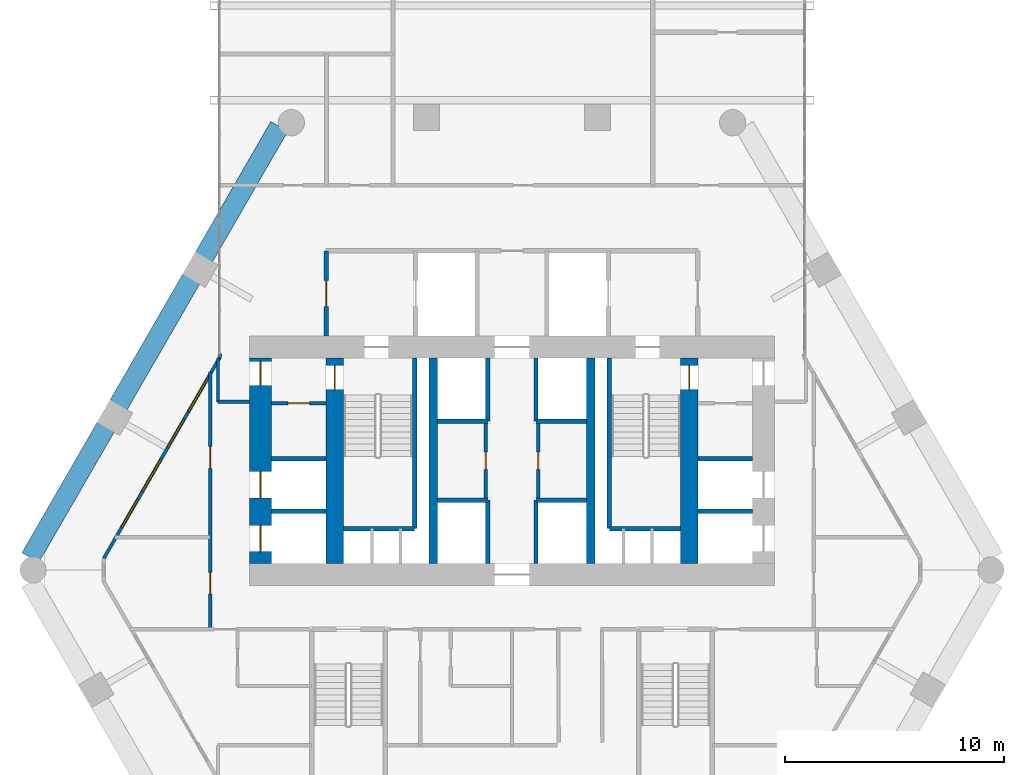
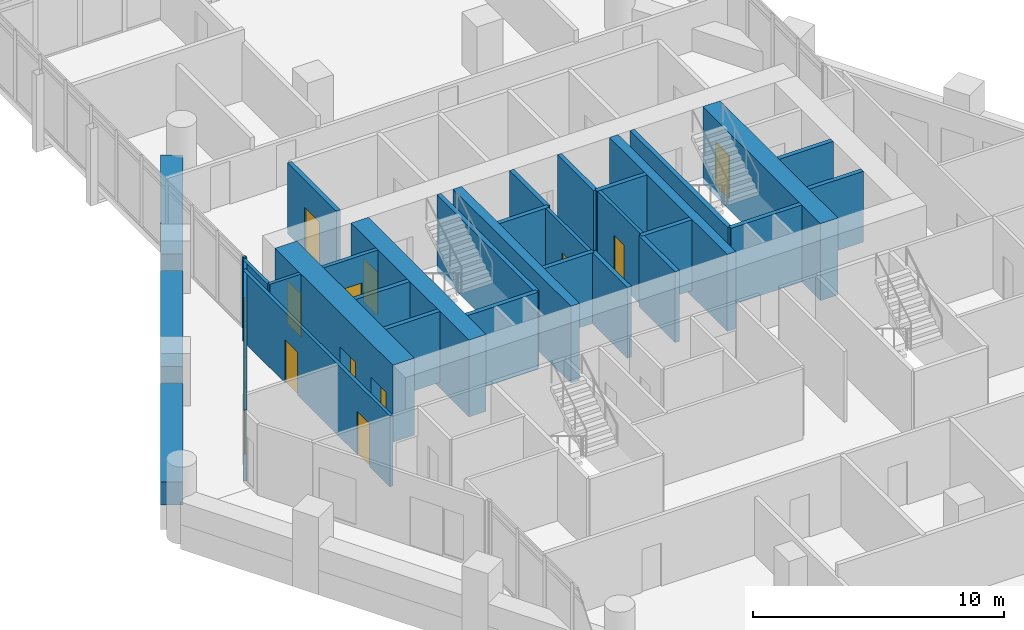
# One storey, part 25 of 28: 33 walls, 11 doors, 4 windows, 15 openings.
"""IFC4 building model written with IfcOpenShell, lengths in metres."""

from ifc_helpers import new_model, si_unit, direction, frame, frame_2d, origin, place, context, subcontext, project, spatial, rectangle, extrude, material, layer, layer_set, type_object, element, fill, save


model = new_model("IFC4")

# Units and contexts
model_context = context("Model", 3, precision=1e-05, world=origin(), true_north=direction((0.0, 1.0)))
body_context = subcontext(model_context, "Body", "Model", "MODEL_VIEW")
ifc_project = project(units=[si_unit("LENGTHUNIT", "METRE"), si_unit("AREAUNIT", "SQUARE_METRE"), si_unit("VOLUMEUNIT", "CUBIC_METRE"), si_unit("PLANEANGLEUNIT", "RADIAN"), si_unit("MASSUNIT", "GRAM", prefix="KILO")], contexts=[model_context])

# Site, building, storey
site_placement = place(None, origin())
site = spatial("IfcSite", under=ifc_project, at=site_placement, CompositionType="ELEMENT")
building_placement = place(site_placement, origin())
building = spatial("IfcBuilding", under=site, at=building_placement, Name="Ostrander Bayou Hotel Tower", CompositionType="ELEMENT")
storey_placement = place(building_placement, frame((0.0, 0.0, 134.75)))
storey = spatial("IfcBuildingStorey", under=building, at=storey_placement, Name="L33", CompositionType="ELEMENT", Elevation=134.75)

# Wall, openings, doors
ifc_material_1 = material(Name="Concrete f'c 70 MPa", Category="concrete")
ifc_layer_1 = layer(ifc_material_1, 1.0)
ifc_layer_set_1 = layer_set([ifc_layer_1], Name="CW4 core wall 1000 mm f'c 70 MPa")
wall_type_1 = type_object("IfcWallType", Name="CW4 core wall 1000 mm f'c 70 MPa", PredefinedType="SHEAR", material=ifc_layer_set_1)
wall_1_placement = place(storey_placement, frame((-11.5, -0.699951171875, -0.300048828125), z_axis=(0.0, 0.0, 1.0), x_axis=(0.0, 1.0, 0.0)))
wall_1 = element("IfcWall", 1, at=wall_1_placement, inside=storey, type_object=wall_type_1, Name="CW4 L33 RW", PredefinedType="SHEAR", context=body_context, shape_type="SweptSolid", body=[
    extrude(rectangle(XDim=9.39990234375, YDim=1.0, at=frame_2d((4.699951171875, 0.0))), origin(), (0.0, 0.0, 1.0), 3.75),
])
opening_1_placement = place(wall_1_placement, frame((8.14990234375, 0.0, 0.0)))
opening_1 = element("IfcOpeningElement", 2, at=opening_1_placement, cuts=wall_1, Name="Opening T32-017", PredefinedType="OPENING", context=body_context, shape_type="SweptSolid", body=[
    extrude(rectangle(XDim=1.10009765625, YDim=2.10009765625, at=frame_2d((0.550048828125, 1.050048828125))), frame((0.0, 0.5, 0.0), z_axis=(0.0, -1.0, 0.0), x_axis=(1.0, 0.0, 0.0)), (0.0, 0.0, 1.0), 1.0),
])
opening_2_placement = place(wall_1_placement, frame((0.550048828125, 0.0, 0.0)))
opening_2 = element("IfcOpeningElement", 3, at=opening_2_placement, cuts=wall_1, Name="Opening T32-018", PredefinedType="OPENING", context=body_context, shape_type="SweptSolid", body=[
    extrude(rectangle(XDim=1.199951171875, YDim=2.10009765625, at=frame_2d((0.60009765625, 1.050048828125))), frame((0.0, 0.5, 0.0), z_axis=(0.0, -1.0, 0.0), x_axis=(1.0, 0.0, 0.0)), (0.0, 0.0, 1.0), 1.0),
])
opening_3_placement = place(wall_1_placement, frame((3.0, 0.0, 0.0)))
opening_3 = element("IfcOpeningElement", 4, at=opening_3_placement, cuts=wall_1, Name="Opening T32-019", PredefinedType="OPENING", context=body_context, shape_type="SweptSolid", body=[
    extrude(rectangle(XDim=1.199951171875, YDim=2.10009765625, at=frame_2d((0.60009765625, 1.050048828125))), frame((0.0, 0.5, 0.0), z_axis=(0.0, -1.0, 0.0), x_axis=(1.0, 0.0, 0.0)), (0.0, 0.0, 1.0), 1.0),
])
ifc_material_2 = material(Name="Timber door leaf", Category="wood")
door_type_1 = type_object("IfcDoorType", Name="D5 stair door 1100 x 2100 mm, 90 minute", OperationType="SINGLE_SWING_LEFT", PredefinedType="DOOR", material=ifc_material_2)
door_1_placement = place(opening_1_placement, origin())
door_1 = element("IfcDoor", 5, at=door_1_placement, inside=storey, type_object=door_type_1, Name="dr:L33:017", OperationType="SINGLE_SWING_LEFT", OverallHeight=2.10009765625, OverallWidth=1.10009765625, PredefinedType="DOOR", context=body_context, shape_type="SweptSolid", body=[
    extrude(rectangle(XDim=1.10009765625, YDim=2.10009765625, at=frame_2d((0.550048828125, 1.050048828125))), frame((0.0, 0.02490234375, 0.0), z_axis=(0.0, -1.0, 0.0), x_axis=(1.0, 0.0, 0.0)), (0.0, 0.0, 1.0), 0.050048828125),
])
fill(opening_1, door_1)
ifc_material_3 = material(Name="Stainless steel sliding door", Category="steel")
door_type_2 = type_object("IfcDoorType", Name="LD1 lift landing door 1200 x 2100 mm", OperationType="SINGLE_SWING_LEFT", PredefinedType="DOOR", material=ifc_material_3)
door_2_placement = place(opening_2_placement, origin())
door_2 = element("IfcDoor", 6, at=door_2_placement, inside=storey, type_object=door_type_2, Name="dr:L33:018", OperationType="SLIDING_TO_LEFT", OverallHeight=2.10009765625, OverallWidth=1.199951171875, PredefinedType="DOOR", context=body_context, shape_type="SweptSolid", body=[
    extrude(rectangle(XDim=1.199951171875, YDim=2.10009765625, at=frame_2d((0.60009765625, 1.050048828125))), frame((0.0, 0.02490234375, 0.0), z_axis=(0.0, -1.0, 0.0), x_axis=(1.0, 0.0, 0.0)), (0.0, 0.0, 1.0), 0.050048828125),
])
fill(opening_2, door_2)
door_3_placement = place(opening_3_placement, origin())
door_3 = element("IfcDoor", 7, at=door_3_placement, inside=storey, type_object=door_type_2, Name="dr:L33:019", OperationType="SLIDING_TO_LEFT", OverallHeight=2.10009765625, OverallWidth=1.199951171875, PredefinedType="DOOR", context=body_context, shape_type="SweptSolid", body=[
    extrude(rectangle(XDim=1.199951171875, YDim=2.10009765625, at=frame_2d((0.60009765625, 1.050048828125))), frame((0.0, 0.02490234375, 0.0), z_axis=(0.0, -1.0, 0.0), x_axis=(1.0, 0.0, 0.0)), (0.0, 0.0, 1.0), 0.050048828125),
])
fill(opening_3, door_3)

# Wall, opening, door
ifc_material_4 = material(Name="Concrete f'c 70 MPa", Category="concrete")
ifc_layer_2 = layer(ifc_material_4, 0.800048828125)
ifc_layer_set_2 = layer_set([ifc_layer_2], Name="CW5 core spine wall 800 mm f'c 70 MPa")
wall_type_2 = type_object("IfcWallType", Name="CW5 core spine wall 800 mm f'c 70 MPa", PredefinedType="SHEAR", material=ifc_layer_set_2)
wall_2_placement = place(storey_placement, frame((-8.10009765625, -0.699951171875, -0.300048828125), z_axis=(0.0, 0.0, 1.0), x_axis=(0.0, 1.0, 0.0)))
wall_2 = element("IfcWall", 8, at=wall_2_placement, inside=storey, type_object=wall_type_2, Name="CW5 L33 W", PredefinedType="SHEAR", context=body_context, shape_type="SweptSolid", body=[
    extrude(rectangle(XDim=9.39990234375, YDim=0.800048828125, at=frame_2d((4.699951171875, 0.0))), origin(), (0.0, 0.0, 1.0), 3.75),
])
opening_4_placement = place(wall_2_placement, frame((7.949951171875, 0.0, 0.0)))
opening_4 = element("IfcOpeningElement", 9, at=opening_4_placement, cuts=wall_2, Name="Opening T32-004", PredefinedType="OPENING", context=body_context, shape_type="SweptSolid", body=[
    extrude(rectangle(XDim=1.10009765625, YDim=2.10009765625, at=frame_2d((0.550048828125, 1.050048828125))), frame((0.0, 0.39990234375, 0.0), z_axis=(0.0, -1.0, 0.0), x_axis=(1.0, 0.0, 0.0)), (0.0, 0.0, 1.0), 0.800048828125),
])
door_4_placement = place(opening_4_placement, origin())
door_4 = element("IfcDoor", 10, at=door_4_placement, inside=storey, type_object=door_type_1, Name="dr:L33:004", OperationType="SINGLE_SWING_RIGHT", OverallHeight=2.10009765625, OverallWidth=1.10009765625, PredefinedType="DOOR", context=body_context, shape_type="SweptSolid", body=[
    extrude(rectangle(XDim=1.10009765625, YDim=2.10009765625, at=frame_2d((0.550048828125, 1.050048828125))), frame((0.0, 0.02490234375, 0.0), z_axis=(0.0, -1.0, 0.0), x_axis=(1.0, 0.0, 0.0)), (0.0, 0.0, 1.0), 0.050048828125),
])
fill(opening_4, door_4)

wall_3_placement = place(storey_placement, frame((8.10009765625, -0.699951171875, -0.300048828125), z_axis=(0.0, 0.0, 1.0), x_axis=(0.0, 1.0, 0.0)))
wall_3 = element("IfcWall", 11, at=wall_3_placement, inside=storey, type_object=wall_type_2, Name="CW5 L33 E", PredefinedType="SHEAR", context=body_context, shape_type="SweptSolid", body=[
    extrude(rectangle(XDim=9.39990234375, YDim=0.800048828125, at=frame_2d((4.699951171875, 0.0))), origin(), (0.0, 0.0, 1.0), 3.75),
])
opening_5_placement = place(wall_3_placement, frame((7.949951171875, 0.0, 0.0)))
opening_5 = element("IfcOpeningElement", 12, at=opening_5_placement, cuts=wall_3, Name="Opening T32-006", PredefinedType="OPENING", context=body_context, shape_type="SweptSolid", body=[
    extrude(rectangle(XDim=1.10009765625, YDim=2.10009765625, at=frame_2d((0.550048828125, 1.050048828125))), frame((0.0, 0.39990234375, 0.0), z_axis=(0.0, -1.0, 0.0), x_axis=(1.0, 0.0, 0.0)), (0.0, 0.0, 1.0), 0.800048828125),
])
door_5_placement = place(opening_5_placement, origin())
door_5 = element("IfcDoor", 13, at=door_5_placement, inside=storey, type_object=door_type_1, Name="dr:L33:006", OperationType="SINGLE_SWING_LEFT", OverallHeight=2.10009765625, OverallWidth=1.10009765625, PredefinedType="DOOR", context=body_context, shape_type="SweptSolid", body=[
    extrude(rectangle(XDim=1.10009765625, YDim=2.10009765625, at=frame_2d((0.550048828125, 1.050048828125))), frame((0.0, 0.02490234375, 0.0), z_axis=(0.0, -1.0, 0.0), x_axis=(1.0, 0.0, 0.0)), (0.0, 0.0, 1.0), 0.050048828125),
])
fill(opening_5, door_5)

# Walls
ifc_material_5 = material(Name="Concrete f'c 70 MPa", Category="concrete")
ifc_layer_3 = layer(ifc_material_5, 0.39990234375)
ifc_layer_set_3 = layer_set([ifc_layer_3], Name="CW6 core bank wall 400 mm f'c 70 MPa")
wall_type_3 = type_object("IfcWallType", Name="CW6 core bank wall 400 mm f'c 70 MPa", PredefinedType="SHEAR", material=ifc_layer_set_3)
for number, where, z_axis, x_axis, name in (
    (14, (-3.60009765625, -0.699951171875, -0.300048828125), (0.0, 0.0, 1.0), (0.0, 1.0, 0.0), "CW6 L33 CW"),
    (15, (3.60009765625, -0.699951171875, -0.300048828125), (0.0, 0.0, 1.0), (0.0, 1.0, 0.0), "CW6 L33 CE"),
):
    element("IfcWall", number, at=place(storey_placement, frame(where, z_axis=z_axis, x_axis=x_axis)), inside=storey, type_object=wall_type_3, Name=name, PredefinedType="SHEAR", context=body_context, shape_type="SweptSolid", body=[
        extrude(rectangle(XDim=9.39990234375, YDim=0.39990234375, at=frame_2d((4.699951171875, 0.0))), origin(), (0.0, 0.0, 1.0), 3.75),
    ])

# Wall, openings, windows
ifc_material_6 = material(Name="Aluminium framed insulated wall", Category="aluminium")
ifc_layer_4 = layer(ifc_material_6, 0.14990234375)
ifc_layer_set_4 = layer_set([ifc_layer_4], Name="GW1 glass-line wall 150 mm")
wall_type_4 = type_object("IfcWallType", Name="GW1 glass-line wall 150 mm", PredefinedType="SOLIDWALL", material=ifc_layer_set_4)
wall_4_placement = place(storey_placement, frame((-13.333984375, 8.769287109375, 0.0), z_axis=(0.0, 0.0, 1.0), x_axis=(-0.499997430087, -0.866026887519, 0.0)))
wall_4 = element("IfcWall", 16, at=wall_4_placement, inside=storey, type_object=wall_type_4, Name="GW1 L33 NW 1", PredefinedType="SOLIDWALL", context=body_context, shape_type="SweptSolid", body=[
    extrude(rectangle(XDim=10.6572265625, YDim=0.14990234375, at=frame_2d((5.32861328125, 0.0))), origin(), (0.0, 0.0, 1.0), 3.449951171875),
])
opening_6_placement = place(wall_4_placement, frame((1.2275390625, 0.0, 0.14990234375)))
opening_6 = element("IfcOpeningElement", 17, at=opening_6_placement, cuts=wall_4, Name="Opening W8", PredefinedType="OPENING", context=body_context, shape_type="SweptSolid", body=[
    extrude(rectangle(XDim=1.699951171875, YDim=2.199951171875, at=frame_2d((0.85009765625, 1.10009765625))), frame((0.0, 0.074951171875, 0.0), z_axis=(0.0, -1.0, 0.0), x_axis=(1.0, 0.0, 0.0)), (0.0, 0.0, 1.0), 0.14990234375),
])
opening_7_placement = place(wall_4_placement, frame((3.327392578125, 0.0, 0.14990234375)))
opening_7 = element("IfcOpeningElement", 18, at=opening_7_placement, cuts=wall_4, Name="Opening W12", PredefinedType="OPENING", context=body_context, shape_type="SweptSolid", body=[
    extrude(rectangle(XDim=1.5, YDim=2.199951171875, at=frame_2d((0.75, 1.10009765625))), frame((0.0, 0.074951171875, 0.0), z_axis=(0.0, -1.0, 0.0), x_axis=(1.0, 0.0, 0.0)), (0.0, 0.0, 1.0), 0.14990234375),
])
opening_8_placement = place(wall_4_placement, frame((5.427490234375, 0.0, 0.14990234375)))
opening_8 = element("IfcOpeningElement", 19, at=opening_8_placement, cuts=wall_4, Name="Opening W8", PredefinedType="OPENING", context=body_context, shape_type="SweptSolid", body=[
    extrude(rectangle(XDim=1.699951171875, YDim=2.199951171875, at=frame_2d((0.85009765625, 1.10009765625))), frame((0.0, 0.074951171875, 0.0), z_axis=(0.0, -1.0, 0.0), x_axis=(1.0, 0.0, 0.0)), (0.0, 0.0, 1.0), 0.14990234375),
])
opening_9_placement = place(wall_4_placement, frame((7.527587890625, 0.0, 0.14990234375)))
opening_9 = element("IfcOpeningElement", 20, at=opening_9_placement, cuts=wall_4, Name="Opening W12", PredefinedType="OPENING", context=body_context, shape_type="SweptSolid", body=[
    extrude(rectangle(XDim=1.5, YDim=2.199951171875, at=frame_2d((0.75, 1.10009765625))), frame((0.0, 0.074951171875, 0.0), z_axis=(0.0, -1.0, 0.0), x_axis=(1.0, 0.0, 0.0)), (0.0, 0.0, 1.0), 0.14990234375),
])
ifc_material_7 = material(Name="Aluminium and clear glass", Category="aluminium")
window_type_1 = type_object("IfcWindowType", Name="W12 fixed window 1500 mm, bath bay, zone 2", PartitioningType="SINGLE_PANEL", PredefinedType="WINDOW", material=ifc_material_7)
window_1_placement = place(opening_7_placement, origin())
window_1 = element("IfcWindow", 21, at=window_1_placement, inside=storey, type_object=window_type_1, Name="W12 L33 NW 3", OverallHeight=2.199951171875, OverallWidth=1.5, PartitioningType="SINGLE_PANEL", PredefinedType="WINDOW", context=body_context, shape_type="SweptSolid", body=[
    extrude(rectangle(XDim=1.5, YDim=2.199951171875, at=frame_2d((0.75, 1.10009765625))), frame((0.0, 0.030029296875, 0.0), z_axis=(0.0, -1.0, 0.0), x_axis=(1.0, 0.0, 0.0)), (0.0, 0.0, 1.0), 0.06005859375),
])
fill(opening_7, window_1)
window_2_placement = place(opening_9_placement, origin())
window_2 = element("IfcWindow", 22, at=window_2_placement, inside=storey, type_object=window_type_1, Name="W12 L33 NW 4", OverallHeight=2.199951171875, OverallWidth=1.5, PartitioningType="SINGLE_PANEL", PredefinedType="WINDOW", context=body_context, shape_type="SweptSolid", body=[
    extrude(rectangle(XDim=1.5, YDim=2.199951171875, at=frame_2d((0.75, 1.10009765625))), frame((0.0, 0.030029296875, 0.0), z_axis=(0.0, -1.0, 0.0), x_axis=(1.0, 0.0, 0.0)), (0.0, 0.0, 1.0), 0.06005859375),
])
fill(opening_9, window_2)
ifc_material_8 = material(Name="Aluminium and clear glass", Category="aluminium")
window_type_2 = type_object("IfcWindowType", Name="W8 fixed window 1700 mm, bar storeys, zone 2", PartitioningType="SINGLE_PANEL", PredefinedType="WINDOW", material=ifc_material_8)
window_3_placement = place(opening_6_placement, origin())
window_3 = element("IfcWindow", 23, at=window_3_placement, inside=storey, type_object=window_type_2, Name="W8 L33 NW 3", OverallHeight=2.199951171875, OverallWidth=1.699951171875, PartitioningType="SINGLE_PANEL", PredefinedType="WINDOW", context=body_context, shape_type="SweptSolid", body=[
    extrude(rectangle(XDim=1.699951171875, YDim=2.199951171875, at=frame_2d((0.85009765625, 1.10009765625))), frame((0.0, 0.030029296875, 0.0), z_axis=(0.0, -1.0, 0.0), x_axis=(1.0, 0.0, 0.0)), (0.0, 0.0, 1.0), 0.06005859375),
])
fill(opening_6, window_3)
window_4_placement = place(opening_8_placement, origin())
window_4 = element("IfcWindow", 24, at=window_4_placement, inside=storey, type_object=window_type_2, Name="W8 L33 NW 4", OverallHeight=2.199951171875, OverallWidth=1.699951171875, PartitioningType="SINGLE_PANEL", PredefinedType="WINDOW", context=body_context, shape_type="SweptSolid", body=[
    extrude(rectangle(XDim=1.699951171875, YDim=2.199951171875, at=frame_2d((0.85009765625, 1.10009765625))), frame((0.0, 0.030029296875, 0.0), z_axis=(0.0, -1.0, 0.0), x_axis=(1.0, 0.0, 0.0)), (0.0, 0.0, 1.0), 0.06005859375),
])
fill(opening_8, window_4)

# Walls
wall_5_placement = place(storey_placement, frame((-13.333984375, 8.769287109375, 0.0), z_axis=(0.0, 0.0, 1.0), x_axis=(-0.337751931921, 0.941235163221, 0.0)))
element("IfcWall", 25, at=wall_5_placement, inside=storey, type_object=wall_type_4, Name="GW1 L33 bar joint 1", PredefinedType="SOLIDWALL", context=body_context, shape_type="SweptSolid", body=[
    extrude(rectangle(XDim=0.098388671875, YDim=0.14990234375, at=frame_2d((0.04931640625, 0.0))), origin(), (0.0, 0.0, 1.0), 3.449951171875),
])
ifc_material_9 = material(Name="Concrete f'c 40 MPa", Category="concrete")
ifc_layer_5 = layer(ifc_material_9, 0.89990234375)
ifc_layer_set_5 = layer_set([ifc_layer_5], Name="PA1 stone-faced parapet 900 mm")
wall_type_5 = type_object("IfcWallType", Name="PA1 stone-faced parapet 900 mm", PredefinedType="PARAPET", material=ifc_layer_set_5)
wall_6_placement = place(storey_placement, frame((-10.639404296875, 19.286376953125, 0.0), z_axis=(0.0, 0.0, 1.0), x_axis=(-0.499990732016, -0.866030754592, 0.0)))
element("IfcWall", 26, at=wall_6_placement, inside=storey, type_object=wall_type_5, Name="PA1 L33 NW-1", PredefinedType="PARAPET", context=body_context, shape_type="SweptSolid", body=[
    extrude(rectangle(XDim=6.906005859375, YDim=0.89990234375, at=frame_2d((3.453125, 0.0))), origin(), (0.0, 0.0, 1.0), 1.10009765625),
])
wall_7_placement = place(storey_placement, frame((-14.662353515625, 12.318359375, 0.0), z_axis=(0.0, 0.0, 1.0), x_axis=(-0.50001062018, -0.866019272134, 0.0)))
element("IfcWall", 27, at=wall_7_placement, inside=storey, type_object=wall_type_5, Name="PA1 L33 NW-2", PredefinedType="PARAPET", context=body_context, shape_type="SweptSolid", body=[
    extrude(rectangle(XDim=6.673583984375, YDim=0.89990234375, at=frame_2d((3.3369140625, 0.0))), origin(), (0.0, 0.0, 1.0), 1.10009765625),
])
wall_8_placement = place(storey_placement, frame((-18.569091796875, 5.551513671875, 0.0), z_axis=(0.0, 0.0, 1.0), x_axis=(-0.500017246033, -0.866015446554, 0.0)))
element("IfcWall", 28, at=wall_8_placement, inside=storey, type_object=wall_type_5, Name="PA1 L33 NW-3", PredefinedType="PARAPET", context=body_context, shape_type="SweptSolid", body=[
    extrude(rectangle(XDim=6.906005859375, YDim=0.89990234375, at=frame_2d((3.453125, 0.0))), origin(), (0.0, 0.0, 1.0), 1.10009765625),
])

# Wall, opening, door
ifc_material_10 = material(Name="Gypsum board partition", Category="finish")
ifc_layer_6 = layer(ifc_material_10, 0.175048828125)
ifc_layer_set_6 = layer_set([ifc_layer_6], Name="PT4 corridor wall 175 mm, 1 hour")
wall_type_6 = type_object("IfcWallType", Name="PT4 corridor wall 175 mm, 1 hour", PredefinedType="PARTITIONING", material=ifc_layer_set_6)
wall_9_placement = place(storey_placement, frame((-11.0, 6.6298828125, 0.0), z_axis=(0.0, 0.0, 1.0), x_axis=(1.0, 0.0, 0.0)))
wall_9 = element("IfcWall", 29, at=wall_9_placement, inside=storey, type_object=wall_type_6, Name="cs:L33:036", PredefinedType="PARTITIONING", context=body_context, shape_type="SweptSolid", body=[
    extrude(rectangle(XDim=2.5, YDim=0.175048828125, at=frame_2d((1.25, 0.0))), origin(), (0.0, 0.0, 1.0), 3.449951171875),
])
opening_10_placement = place(wall_9_placement, frame((0.75, 0.0, 0.0)))
opening_10 = element("IfcOpeningElement", 30, at=opening_10_placement, cuts=wall_9, Name="Opening T32-016", PredefinedType="OPENING", context=body_context, shape_type="SweptSolid", body=[
    extrude(rectangle(XDim=1.0, YDim=2.10009765625, at=frame_2d((0.5, 1.050048828125))), frame((0.0, 0.08740234375, 0.0), z_axis=(0.0, -1.0, 0.0), x_axis=(1.0, 0.0, 0.0)), (0.0, 0.0, 1.0), 0.175048828125),
])
ifc_material_11 = material(Name="Timber door leaf", Category="wood")
door_type_3 = type_object("IfcDoorType", Name="D4 corridor door 1000 x 2100 mm, 1 hour", OperationType="SINGLE_SWING_LEFT", PredefinedType="DOOR", material=ifc_material_11)
door_6_placement = place(opening_10_placement, origin())
door_6 = element("IfcDoor", 31, at=door_6_placement, inside=storey, type_object=door_type_3, Name="dr:L33:016", OperationType="SINGLE_SWING_LEFT", OverallHeight=2.10009765625, OverallWidth=1.0, PredefinedType="DOOR", context=body_context, shape_type="SweptSolid", body=[
    extrude(rectangle(XDim=1.0, YDim=2.10009765625, at=frame_2d((0.5, 1.050048828125))), frame((0.0, 0.02490234375, 0.0), z_axis=(0.0, -1.0, 0.0), x_axis=(1.0, 0.0, 0.0)), (0.0, 0.0, 1.0), 0.050048828125),
])
fill(opening_10, door_6)

ifc_material_12 = material(Name="Masonry block", Category="masonry")
ifc_layer_7 = layer(ifc_material_12, 0.199951171875)
ifc_layer_set_7 = layer_set([ifc_layer_7], Name="PT5 stair enclosure wall 200 mm masonry, 2 hour")
wall_type_7 = type_object("IfcWallType", Name="PT5 stair enclosure wall 200 mm masonry, 2 hour", PredefinedType="PARTITIONING", material=ifc_layer_set_7)
wall_10_placement = place(storey_placement, frame((-8.5, 9.699951171875, 0.0), z_axis=(0.0, 0.0, 1.0), x_axis=(0.0, 1.0, 0.0)))
wall_10 = element("IfcWall", 32, at=wall_10_placement, inside=storey, type_object=wall_type_7, Name="cs:L33:026", PredefinedType="PARTITIONING", context=body_context, shape_type="SweptSolid", body=[
    extrude(rectangle(XDim=3.900146484375, YDim=0.199951171875, at=frame_2d((1.9501953125, 0.0))), origin(), (0.0, 0.0, 1.0), 3.449951171875),
])
opening_11_placement = place(wall_10_placement, frame((1.35009765625, 0.0, 0.0)))
opening_11 = element("IfcOpeningElement", 33, at=opening_11_placement, cuts=wall_10, Name="Opening T32-010", PredefinedType="OPENING", context=body_context, shape_type="SweptSolid", body=[
    extrude(rectangle(XDim=1.199951171875, YDim=2.10009765625, at=frame_2d((0.60009765625, 1.050048828125))), frame((0.0, 0.10009765625, 0.0), z_axis=(0.0, -1.0, 0.0), x_axis=(1.0, 0.0, 0.0)), (0.0, 0.0, 1.0), 0.199951171875),
])
ifc_material_13 = material(Name="Timber door leaf", Category="wood")
door_type_4 = type_object("IfcDoorType", Name="D7 lobby door 1200 x 2100 mm, 1 hour", OperationType="SINGLE_SWING_LEFT", PredefinedType="DOOR", material=ifc_material_13)
door_7_placement = place(opening_11_placement, origin())
door_7 = element("IfcDoor", 34, at=door_7_placement, inside=storey, type_object=door_type_4, Name="dr:L33:010", OperationType="SINGLE_SWING_LEFT", OverallHeight=2.10009765625, OverallWidth=1.199951171875, PredefinedType="DOOR", context=body_context, shape_type="SweptSolid", body=[
    extrude(rectangle(XDim=1.199951171875, YDim=2.10009765625, at=frame_2d((0.60009765625, 1.050048828125))), frame((0.0, 0.02490234375, 0.0), z_axis=(0.0, -1.0, 0.0), x_axis=(1.0, 0.0, 0.0)), (0.0, 0.0, 1.0), 0.050048828125),
])
fill(opening_11, door_7)

# Walls
ifc_material_14 = material(Name="Masonry block", Category="masonry")
ifc_layer_8 = layer(ifc_material_14, 0.199951171875)
ifc_layer_set_8 = layer_set([ifc_layer_8], Name="PT6 lift shaft wall 200 mm masonry, 2 hour")
wall_type_8 = type_object("IfcWallType", Name="PT6 lift shaft wall 200 mm masonry, 2 hour", PredefinedType="PARTITIONING", material=ifc_layer_set_8)
for number, where, z_axis, x_axis, name in (
    (35, (-3.39990234375, 2.199951171875, 0.0), (0.0, 0.0, 1.0), (1.0, 0.0, 0.0), "cs:L33:001"),
    (36, (-3.39990234375, 5.800048828125, 0.0), (0.0, 0.0, 1.0), (1.0, 0.0, 0.0), "cs:L33:002"),
    (37, (1.10009765625, 2.199951171875, 0.0), (0.0, 0.0, 1.0), (1.0, 0.0, 0.0), "cs:L33:003"),
    (38, (1.10009765625, 5.800048828125, 0.0), (0.0, 0.0, 1.0), (1.0, 0.0, 0.0), "cs:L33:004"),
):
    element("IfcWall", number, at=place(storey_placement, frame(where, z_axis=z_axis, x_axis=x_axis)), inside=storey, type_object=wall_type_8, Name=name, PredefinedType="PARTITIONING", context=body_context, shape_type="SweptSolid", body=[
        extrude(rectangle(XDim=2.2998046875, YDim=0.199951171875, at=frame_2d((1.14990234375, 0.0))), origin(), (0.0, 0.0, 1.0), 3.449951171875),
    ])
for number, where, z_axis, x_axis, name in (
    (39, (-1.10009765625, -0.699951171875, 0.0), (0.0, 0.0, 1.0), (0.0, 1.0, 0.0), "cs:L33:005"),
    (40, (1.10009765625, -0.699951171875, 0.0), (0.0, 0.0, 1.0), (0.0, 1.0, 0.0), "cs:L33:006"),
    (41, (-1.10009765625, 5.800048828125, 0.0), (0.0, 0.0, 1.0), (0.0, 1.0, 0.0), "cs:L33:007"),
    (42, (1.10009765625, 5.800048828125, 0.0), (0.0, 0.0, 1.0), (0.0, 1.0, 0.0), "cs:L33:008"),
):
    element("IfcWall", number, at=place(storey_placement, frame(where, z_axis=z_axis, x_axis=x_axis)), inside=storey, type_object=wall_type_8, Name=name, PredefinedType="PARTITIONING", context=body_context, shape_type="SweptSolid", body=[
        extrude(rectangle(XDim=2.89990234375, YDim=0.199951171875, at=frame_2d((1.449951171875, 0.0))), origin(), (0.0, 0.0, 1.0), 3.449951171875),
    ])
for number, where, z_axis, x_axis, name in (
    (43, (-11.0, 1.699951171875, 0.0), (0.0, 0.0, 1.0), (1.0, 0.0, 0.0), "cs:L33:034"),
    (44, (-11.0, 4.10009765625, 0.0), (0.0, 0.0, 1.0), (1.0, 0.0, 0.0), "cs:L33:035"),
    (45, (8.5, 1.699951171875, 0.0), (0.0, 0.0, 1.0), (1.0, 0.0, 0.0), "cs:L33:037"),
    (46, (8.5, 4.10009765625, 0.0), (0.0, 0.0, 1.0), (1.0, 0.0, 0.0), "cs:L33:038"),
):
    element("IfcWall", number, at=place(storey_placement, frame(where, z_axis=z_axis, x_axis=x_axis)), inside=storey, type_object=wall_type_8, Name=name, PredefinedType="PARTITIONING", context=body_context, shape_type="SweptSolid", body=[
        extrude(rectangle(XDim=2.5, YDim=0.199951171875, at=frame_2d((1.25, 0.0))), origin(), (0.0, 0.0, 1.0), 3.449951171875),
    ])

# Wall, opening, door
ifc_material_15 = material(Name="Gypsum board partition", Category="finish")
ifc_layer_9 = layer(ifc_material_15, 0.14990234375)
ifc_layer_set_9 = layer_set([ifc_layer_9], Name="PT7 riser wall 150 mm, 2 hour")
wall_type_9 = type_object("IfcWallType", Name="PT7 riser wall 150 mm, 2 hour", PredefinedType="PARTITIONING", material=ifc_layer_set_9)
wall_11_placement = place(storey_placement, frame((-1.199951171875, 2.300048828125, 0.0), z_axis=(0.0, 0.0, 1.0), x_axis=(0.0, 1.0, 0.0)))
wall_11 = element("IfcWall", 47, at=wall_11_placement, inside=storey, type_object=wall_type_9, Name="cs:L33:032", PredefinedType="PARTITIONING", context=body_context, shape_type="SweptSolid", body=[
    extrude(rectangle(XDim=3.39990234375, YDim=0.14990234375, at=frame_2d((1.699951171875, 0.0))), origin(), (0.0, 0.0, 1.0), 3.449951171875),
])
opening_12_placement = place(wall_11_placement, frame((1.300048828125, 0.0, 0.0)))
opening_12 = element("IfcOpeningElement", 48, at=opening_12_placement, cuts=wall_11, Name="Opening T32-014", PredefinedType="OPENING", context=body_context, shape_type="SweptSolid", body=[
    extrude(rectangle(XDim=0.800048828125, YDim=2.10009765625, at=frame_2d((0.39990234375, 1.050048828125))), frame((0.0, 0.074951171875, 0.0), z_axis=(0.0, -1.0, 0.0), x_axis=(1.0, 0.0, 0.0)), (0.0, 0.0, 1.0), 0.14990234375),
])
ifc_material_16 = material(Name="Timber door leaf", Category="wood")
door_type_5 = type_object("IfcDoorType", Name="D6 riser door 800 x 2100 mm, 90 minute", OperationType="SINGLE_SWING_LEFT", PredefinedType="DOOR", material=ifc_material_16)
door_8_placement = place(opening_12_placement, origin())
door_8 = element("IfcDoor", 49, at=door_8_placement, inside=storey, type_object=door_type_5, Name="dr:L33:014", OperationType="SINGLE_SWING_LEFT", OverallHeight=2.10009765625, OverallWidth=0.800048828125, PredefinedType="DOOR", context=body_context, shape_type="SweptSolid", body=[
    extrude(rectangle(XDim=0.800048828125, YDim=2.10009765625, at=frame_2d((0.39990234375, 1.050048828125))), frame((0.0, 0.02490234375, 0.0), z_axis=(0.0, -1.0, 0.0), x_axis=(1.0, 0.0, 0.0)), (0.0, 0.0, 1.0), 0.050048828125),
])
fill(opening_12, door_8)

wall_12_placement = place(storey_placement, frame((1.199951171875, 2.300048828125, 0.0), z_axis=(0.0, 0.0, 1.0), x_axis=(0.0, 1.0, 0.0)))
wall_12 = element("IfcWall", 50, at=wall_12_placement, inside=storey, type_object=wall_type_9, Name="cs:L33:033", PredefinedType="PARTITIONING", context=body_context, shape_type="SweptSolid", body=[
    extrude(rectangle(XDim=3.39990234375, YDim=0.14990234375, at=frame_2d((1.699951171875, 0.0))), origin(), (0.0, 0.0, 1.0), 3.449951171875),
])
opening_13_placement = place(wall_12_placement, frame((1.300048828125, 0.0, 0.0)))
opening_13 = element("IfcOpeningElement", 51, at=opening_13_placement, cuts=wall_12, Name="Opening T32-015", PredefinedType="OPENING", context=body_context, shape_type="SweptSolid", body=[
    extrude(rectangle(XDim=0.800048828125, YDim=2.10009765625, at=frame_2d((0.39990234375, 1.050048828125))), frame((0.0, 0.074951171875, 0.0), z_axis=(0.0, -1.0, 0.0), x_axis=(1.0, 0.0, 0.0)), (0.0, 0.0, 1.0), 0.14990234375),
])
door_9_placement = place(opening_13_placement, origin())
door_9 = element("IfcDoor", 52, at=door_9_placement, inside=storey, type_object=door_type_5, Name="dr:L33:015", OperationType="SINGLE_SWING_RIGHT", OverallHeight=2.10009765625, OverallWidth=0.800048828125, PredefinedType="DOOR", context=body_context, shape_type="SweptSolid", body=[
    extrude(rectangle(XDim=0.800048828125, YDim=2.10009765625, at=frame_2d((0.39990234375, 1.050048828125))), frame((0.0, 0.02490234375, 0.0), z_axis=(0.0, -1.0, 0.0), x_axis=(1.0, 0.0, 0.0)), (0.0, 0.0, 1.0), 0.050048828125),
])
fill(opening_13, door_9)

# Walls
ifc_material_17 = material(Name="Gypsum board partition", Category="finish")
ifc_layer_10 = layer(ifc_material_17, 0.14990234375)
ifc_layer_set_10 = layer_set([ifc_layer_10], Name="PT8 service band wall 150 mm, 1 hour")
wall_type_10 = type_object("IfcWallType", Name="PT8 service band wall 150 mm, 1 hour", PredefinedType="PARTITIONING", material=ifc_layer_set_10)
wall_13_placement = place(storey_placement, frame((-13.43994140625, 6.695068359375, 0.0), z_axis=(0.0, 0.0, 1.0), x_axis=(1.0, 0.0, 0.0)))
element("IfcWall", 53, at=wall_13_placement, inside=storey, type_object=wall_type_10, Name="gw:L33:013", PredefinedType="PARTITIONING", context=body_context, shape_type="SweptSolid", body=[
    extrude(rectangle(XDim=1.429931640625, YDim=0.14990234375, at=frame_2d((0.71484375, 0.0))), origin(), (0.0, 0.0, 1.0), 3.449951171875),
])
wall_14_placement = place(storey_placement, frame((-13.43994140625, 6.695068359375, 0.0), z_axis=(0.0, 0.0, 1.0), x_axis=(0.0, 1.0, 0.0)))
element("IfcWall", 54, at=wall_14_placement, inside=storey, type_object=wall_type_10, Name="gw:L33:024", PredefinedType="PARTITIONING", context=body_context, shape_type="SweptSolid", body=[
    extrude(rectangle(XDim=1.98095703125, YDim=0.14990234375, at=frame_2d((0.990478515625, 0.0))), origin(), (0.0, 0.0, 1.0), 3.449951171875),
])

# Wall, openings, doors
wall_15_placement = place(storey_placement, frame((-13.800048828125, -3.699951171875, 0.0), z_axis=(0.0, 0.0, 1.0), x_axis=(0.0, 1.0, 0.0)))
wall_15 = element("IfcWall", 55, at=wall_15_placement, inside=storey, type_object=wall_type_10, Name="gw:L33:025", PredefinedType="PARTITIONING", context=body_context, shape_type="SweptSolid", body=[
    extrude(rectangle(XDim=11.751953125, YDim=0.14990234375, at=frame_2d((5.8759765625, 0.0))), origin(), (0.0, 0.0, 1.0), 3.449951171875),
])
opening_14_placement = place(wall_15_placement, frame((1.60009765625, 0.0, 0.0)))
opening_14 = element("IfcOpeningElement", 56, at=opening_14_placement, cuts=wall_15, Name="Opening T32-408", PredefinedType="OPENING", context=body_context, shape_type="SweptSolid", body=[
    extrude(rectangle(XDim=1.0, YDim=2.10009765625, at=frame_2d((0.5, 1.050048828125))), frame((0.0, 0.074951171875, 0.0), z_axis=(0.0, -1.0, 0.0), x_axis=(1.0, 0.0, 0.0)), (0.0, 0.0, 1.0), 0.14990234375),
])
opening_15_placement = place(wall_15_placement, frame((7.35302734375, 0.0, 0.0)))
opening_15 = element("IfcOpeningElement", 57, at=opening_15_placement, cuts=wall_15, Name="Opening T32-409", PredefinedType="OPENING", context=body_context, shape_type="SweptSolid", body=[
    extrude(rectangle(XDim=1.0, YDim=2.10009765625, at=frame_2d((0.5, 1.050048828125))), frame((0.0, 0.074951171875, 0.0), z_axis=(0.0, -1.0, 0.0), x_axis=(1.0, 0.0, 0.0)), (0.0, 0.0, 1.0), 0.14990234375),
])
ifc_material_18 = material(Name="Timber door leaf", Category="wood")
door_type_6 = type_object("IfcDoorType", Name="D15 room door 1000 x 2100 mm", OperationType="SINGLE_SWING_LEFT", PredefinedType="DOOR", material=ifc_material_18)
door_10_placement = place(opening_14_placement, origin())
door_10 = element("IfcDoor", 58, at=door_10_placement, inside=storey, type_object=door_type_6, Name="dr:L33:408", OperationType="SINGLE_SWING_RIGHT", OverallHeight=2.10009765625, OverallWidth=1.0, PredefinedType="DOOR", context=body_context, shape_type="SweptSolid", body=[
    extrude(rectangle(XDim=1.0, YDim=2.10009765625, at=frame_2d((0.5, 1.050048828125))), frame((0.0, 0.02490234375, 0.0), z_axis=(0.0, -1.0, 0.0), x_axis=(1.0, 0.0, 0.0)), (0.0, 0.0, 1.0), 0.050048828125),
])
fill(opening_14, door_10)
ifc_material_19 = material(Name="Timber door leaf", Category="wood")
door_type_7 = type_object("IfcDoorType", Name="D9 service door 1000 x 2100 mm, 30 minute", OperationType="SINGLE_SWING_LEFT", PredefinedType="DOOR", material=ifc_material_19)
door_11_placement = place(opening_15_placement, origin())
door_11 = element("IfcDoor", 59, at=door_11_placement, inside=storey, type_object=door_type_7, Name="dr:L33:409", OperationType="SINGLE_SWING_LEFT", OverallHeight=2.10009765625, OverallWidth=1.0, PredefinedType="DOOR", context=body_context, shape_type="SweptSolid", body=[
    extrude(rectangle(XDim=1.0, YDim=2.10009765625, at=frame_2d((0.5, 1.050048828125))), frame((0.0, 0.02490234375, 0.0), z_axis=(0.0, -1.0, 0.0), x_axis=(1.0, 0.0, 0.0)), (0.0, 0.0, 1.0), 0.050048828125),
])
fill(opening_15, door_11)

# Walls
ifc_material_20 = material(Name="Concrete f'c 45 MPa", Category="concrete")
ifc_layer_11 = layer(ifc_material_20, 0.199951171875)
ifc_layer_set_11 = layer_set([ifc_layer_11], Name="SW5 stair enclosure wall 200 mm f'c 45 MPa")
wall_type_11 = type_object("IfcWallType", Name="SW5 stair enclosure wall 200 mm f'c 45 MPa", PredefinedType="SOLIDWALL", material=ifc_layer_set_11)
wall_16_placement = place(storey_placement, frame((-4.449951171875, 0.89990234375, -0.300048828125), z_axis=(0.0, 0.0, 1.0), x_axis=(0.0, 1.0, 0.0)))
element("IfcWall", 60, at=wall_16_placement, inside=storey, type_object=wall_type_11, Name="cs:L33:009", PredefinedType="SOLIDWALL", context=body_context, shape_type="SweptSolid", body=[
    extrude(rectangle(XDim=7.800048828125, YDim=0.199951171875, at=frame_2d((3.89990234375, 0.0))), origin(), (0.0, 0.0, 1.0), 3.75),
])
wall_17_placement = place(storey_placement, frame((-7.699951171875, 0.89990234375, -0.300048828125), z_axis=(0.0, 0.0, 1.0), x_axis=(1.0, 0.0, 0.0)))
element("IfcWall", 61, at=wall_17_placement, inside=storey, type_object=wall_type_11, Name="cs:L33:010", PredefinedType="SOLIDWALL", context=body_context, shape_type="SweptSolid", body=[
    extrude(rectangle(XDim=3.25, YDim=0.199951171875, at=frame_2d((1.625, 0.0))), origin(), (0.0, 0.0, 1.0), 3.75),
])
wall_18_placement = place(storey_placement, frame((4.449951171875, 0.89990234375, -0.300048828125), z_axis=(0.0, 0.0, 1.0), x_axis=(0.0, 1.0, 0.0)))
element("IfcWall", 62, at=wall_18_placement, inside=storey, type_object=wall_type_11, Name="cs:L33:013", PredefinedType="SOLIDWALL", context=body_context, shape_type="SweptSolid", body=[
    extrude(rectangle(XDim=7.800048828125, YDim=0.199951171875, at=frame_2d((3.89990234375, 0.0))), origin(), (0.0, 0.0, 1.0), 3.75),
])
wall_19_placement = place(storey_placement, frame((4.449951171875, 0.89990234375, -0.300048828125), z_axis=(0.0, 0.0, 1.0), x_axis=(1.0, 0.0, 0.0)))
element("IfcWall", 63, at=wall_19_placement, inside=storey, type_object=wall_type_11, Name="cs:L33:014", PredefinedType="SOLIDWALL", context=body_context, shape_type="SweptSolid", body=[
    extrude(rectangle(XDim=3.25, YDim=0.199951171875, at=frame_2d((1.625, 0.0))), origin(), (0.0, 0.0, 1.0), 3.75),
])

save(model, "model.ifc")
